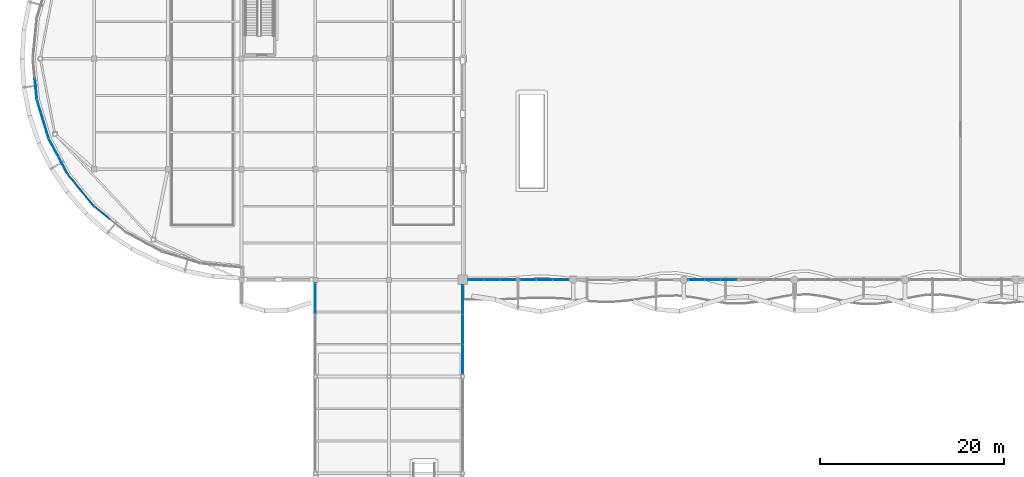
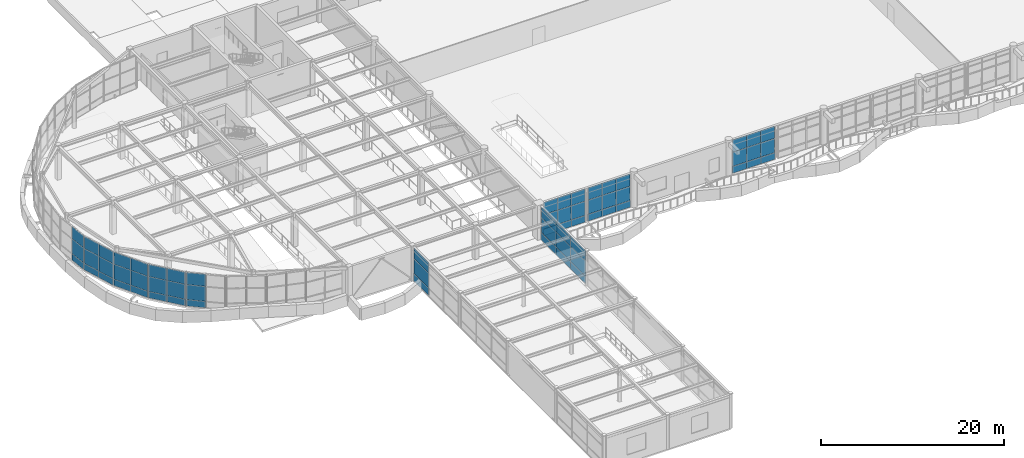
# One storey, part 36 of 72: 63 plates, 10 elements without a shape of their own.
"""IFC4 building model written with IfcOpenShell, lengths in metres."""

from ifc_helpers import new_model, si_unit, direction, frame, origin, origin_2d, place, context, subcontext, project, spatial, rectangle, extrude, material, layer, layer_set, type_object, element, aggregate, save


model = new_model("IFC4")

# Units and contexts
model_context = context("Model", 3, precision=1e-05, world=origin(), true_north=direction((0.0, 1.0)))
body_context = subcontext(model_context, "Body", "Model", "MODEL_VIEW")
ifc_project = project(units=[si_unit("LENGTHUNIT", "METRE"), si_unit("AREAUNIT", "SQUARE_METRE"), si_unit("VOLUMEUNIT", "CUBIC_METRE"), si_unit("PLANEANGLEUNIT", "RADIAN"), si_unit("MASSUNIT", "GRAM", prefix="KILO")], contexts=[model_context])

# Site, building, storey
site_placement = place(None, origin())
site = spatial("IfcSite", under=ifc_project, at=site_placement, CompositionType="ELEMENT")
building_placement = place(site_placement, origin())
building = spatial("IfcBuilding", under=site, at=building_placement, Name="Keelwater Ferry Terminal", CompositionType="ELEMENT")
storey_placement = place(building_placement, frame((0.0, 0.0, 5.39990234375)))
storey = spatial("IfcBuildingStorey", under=building, at=storey_placement, Name="L01", CompositionType="ELEMENT", Elevation=5.39990234375)

# Curtain wall, plate
ifc_material_1 = material(Name="Thermally broken unitised aluminium and triple glass", Category="aluminium")
ifc_layer_1 = layer(ifc_material_1, 0.179931640625)
ifc_layer_set_1 = layer_set([ifc_layer_1], Name="Thermally broken unitised aluminium and triple glass")
curtain_wall_type_1 = type_object("IfcCurtainWallType", Name="CW-11 Unitised Curtain Wall 9872x4400", PredefinedType="USERDEFINED", material=ifc_layer_set_1)
curtain_wall_1_placement = place(storey_placement, origin())
curtain_wall_1 = element("IfcCurtainWall", 1, at=curtain_wall_1_placement, inside=storey, type_object=curtain_wall_type_1, Name="Unitised Curtain Wall CW-L01-052", ObjectType="UNITISED CURTAIN WALL", PredefinedType="USERDEFINED")
ifc_material_2 = material(Name="Insulated aluminium spandrel", Category="aluminium")
ifc_layer_2 = layer(ifc_material_2, 0.080078125)
ifc_layer_set_2 = layer_set([ifc_layer_2], Name="Insulated aluminium spandrel")
plate_type_1 = type_object("IfcPlateType", Name="CWP-S1 Insulated Spandrel Panel 80", PredefinedType="CURTAIN_PANEL", material=ifc_layer_set_2)
plate_1_placement = place(storey_placement, frame((32.0, 40.004638671875, 0.0), z_axis=(0.0, 0.0, 1.0), x_axis=(0.0, 1.0, 0.0)))
plate_1 = element("IfcPlate", 2, at=plate_1_placement, type_object=plate_type_1, Name="CW-L01-052 Panel 3.1", PredefinedType="CURTAIN_PANEL", context=body_context, shape_type="SweptSolid", body=[
    extrude(rectangle(XDim=3.290771484375, YDim=0.080078125, at=origin_2d()), origin(), (0.0, 0.0, 1.0), 1.0),
])

# Curtain wall, plates
ifc_material_3 = material(Name="Thermally broken unitised aluminium and triple glass", Category="aluminium")
ifc_layer_3 = layer(ifc_material_3, 0.179931640625)
ifc_layer_set_3 = layer_set([ifc_layer_3], Name="Thermally broken unitised aluminium and triple glass")
curtain_wall_type_2 = type_object("IfcCurtainWallType", Name="CW-13 Unitised Curtain Wall 9647x4400", PredefinedType="USERDEFINED", material=ifc_layer_set_3)
curtain_wall_2_placement = place(storey_placement, origin())
curtain_wall_2 = element("IfcCurtainWall", 3, at=curtain_wall_2_placement, inside=storey, type_object=curtain_wall_type_2, Name="Unitised Curtain Wall CW-L01-058", ObjectType="UNITISED CURTAIN WALL", PredefinedType="USERDEFINED")
plate_2_placement = place(storey_placement, frame((48.0, 33.3857421875, 0.0), z_axis=(0.0, 0.0, 1.0), x_axis=(0.0, 1.0, 0.0)))
plate_2 = element("IfcPlate", 4, at=plate_2_placement, type_object=plate_type_1, Name="CW-L01-058 Panel 1.1", PredefinedType="CURTAIN_PANEL", context=body_context, shape_type="SweptSolid", body=[
    extrude(rectangle(XDim=3.215576171875, YDim=0.080078125, at=origin_2d()), origin(), (0.0, 0.0, 1.0), 1.0),
])
plate_3_placement = place(storey_placement, frame((48.0, 36.6015625, 0.0), z_axis=(0.0, 0.0, 1.0), x_axis=(0.0, 1.0, 0.0)))
plate_3 = element("IfcPlate", 5, at=plate_3_placement, type_object=plate_type_1, Name="CW-L01-058 Panel 2.1", PredefinedType="CURTAIN_PANEL", context=body_context, shape_type="SweptSolid", body=[
    extrude(rectangle(XDim=3.215576171875, YDim=0.080078125, at=origin_2d()), origin(), (0.0, 0.0, 1.0), 1.0),
])
plate_4_placement = place(storey_placement, frame((48.0, 39.817138671875, 0.0), z_axis=(0.0, 0.0, 1.0), x_axis=(0.0, 1.0, 0.0)))
plate_4 = element("IfcPlate", 6, at=plate_4_placement, type_object=plate_type_1, Name="CW-L01-058 Panel 3.1", PredefinedType="CURTAIN_PANEL", context=body_context, shape_type="SweptSolid", body=[
    extrude(rectangle(XDim=3.215576171875, YDim=0.080078125, at=origin_2d()), origin(), (0.0, 0.0, 1.0), 1.0),
])

ifc_material_4 = material(Name="Thermally broken unitised aluminium and triple glass", Category="aluminium")
ifc_layer_4 = layer(ifc_material_4, 0.179931640625)
ifc_layer_set_4 = layer_set([ifc_layer_4], Name="Thermally broken unitised aluminium and triple glass")
curtain_wall_type_3 = type_object("IfcCurtainWallType", Name="CW-01 Unitised Curtain Wall 5230x4450", PredefinedType="USERDEFINED", material=ifc_layer_set_4)
curtain_wall_3_placement = place(storey_placement, origin())
curtain_wall_3 = element("IfcCurtainWall", 7, at=curtain_wall_3_placement, inside=storey, type_object=curtain_wall_type_3, Name="Unitised Curtain Wall CW-L01-001", ObjectType="UNITISED CURTAIN WALL", PredefinedType="USERDEFINED")
ifc_material_5 = material(Name="Insulated white cassette spandrel", Category="aluminium")
ifc_layer_5 = layer(ifc_material_5, 0.094970703125)
ifc_layer_set_5 = layer_set([ifc_layer_5], Name="Insulated white cassette spandrel")
plate_type_2 = type_object("IfcPlateType", Name="CWP-S2 Insulated Spandrel Panel 95", PredefinedType="CURTAIN_PANEL", material=ifc_layer_set_5)
plate_5_placement = place(storey_placement, frame((49.44677734375, 42.0, 0.000244140625), z_axis=(0.0, 0.0, 1.0), x_axis=(1.0, 0.0, 0.0)))
plate_5 = element("IfcPlate", 8, at=plate_5_placement, type_object=plate_type_2, Name="CW-L01-001 Panel 1.1", PredefinedType="CURTAIN_PANEL", context=body_context, shape_type="SweptSolid", body=[
    extrude(rectangle(XDim=1.743408203125, YDim=0.094970703125, at=origin_2d()), origin(), (0.0, 0.0, 1.0), 0.89990234375),
])
plate_6_placement = place(storey_placement, frame((51.18994140625, 42.0, 0.000244140625), z_axis=(0.0, 0.0, 1.0), x_axis=(1.0, 0.0, 0.0)))
plate_6 = element("IfcPlate", 9, at=plate_6_placement, type_object=plate_type_2, Name="CW-L01-001 Panel 2.1", PredefinedType="CURTAIN_PANEL", context=body_context, shape_type="SweptSolid", body=[
    extrude(rectangle(XDim=1.743408203125, YDim=0.094970703125, at=origin_2d()), origin(), (0.0, 0.0, 1.0), 0.89990234375),
])
plate_7_placement = place(storey_placement, frame((52.933349609375, 42.0, 0.000244140625), z_axis=(0.0, 0.0, 1.0), x_axis=(1.0, 0.0, 0.0)))
plate_7 = element("IfcPlate", 10, at=plate_7_placement, type_object=plate_type_2, Name="CW-L01-001 Panel 3.1", PredefinedType="CURTAIN_PANEL", context=body_context, shape_type="SweptSolid", body=[
    extrude(rectangle(XDim=1.743408203125, YDim=0.094970703125, at=origin_2d()), origin(), (0.0, 0.0, 1.0), 0.89990234375),
])

ifc_material_6 = material(Name="Thermally broken unitised aluminium and triple glass", Category="aluminium")
ifc_layer_6 = layer(ifc_material_6, 0.179931640625)
ifc_layer_set_6 = layer_set([ifc_layer_6], Name="Thermally broken unitised aluminium and triple glass")
curtain_wall_type_4 = type_object("IfcCurtainWallType", Name="CW-02 Unitised Curtain Wall 5330x4450", PredefinedType="USERDEFINED", material=ifc_layer_set_6)
curtain_wall_4_placement = place(storey_placement, origin())
curtain_wall_4 = element("IfcCurtainWall", 11, at=curtain_wall_4_placement, inside=storey, type_object=curtain_wall_type_4, Name="Unitised Curtain Wall CW-L01-002", ObjectType="UNITISED CURTAIN WALL", PredefinedType="USERDEFINED")
plate_8_placement = place(storey_placement, frame((55.083251953125, 42.0, 0.000244140625), z_axis=(0.0, 0.0, 1.0), x_axis=(1.0, 0.0, 0.0)))
plate_8 = element("IfcPlate", 12, at=plate_8_placement, type_object=plate_type_2, Name="CW-L01-002 Panel 1.1", PredefinedType="CURTAIN_PANEL", context=body_context, shape_type="SweptSolid", body=[
    extrude(rectangle(XDim=1.776611328125, YDim=0.094970703125, at=origin_2d()), origin(), (0.0, 0.0, 1.0), 0.89990234375),
])
plate_9_placement = place(storey_placement, frame((56.860107421875, 42.0, 0.000244140625), z_axis=(0.0, 0.0, 1.0), x_axis=(1.0, 0.0, 0.0)))
plate_9 = element("IfcPlate", 13, at=plate_9_placement, type_object=plate_type_2, Name="CW-L01-002 Panel 2.1", PredefinedType="CURTAIN_PANEL", context=body_context, shape_type="SweptSolid", body=[
    extrude(rectangle(XDim=1.776611328125, YDim=0.094970703125, at=origin_2d()), origin(), (0.0, 0.0, 1.0), 0.89990234375),
])
plate_10_placement = place(storey_placement, frame((58.63671875, 42.0, 0.000244140625), z_axis=(0.0, 0.0, 1.0), x_axis=(1.0, 0.0, 0.0)))
plate_10 = element("IfcPlate", 14, at=plate_10_placement, type_object=plate_type_2, Name="CW-L01-002 Panel 3.1", PredefinedType="CURTAIN_PANEL", context=body_context, shape_type="SweptSolid", body=[
    extrude(rectangle(XDim=1.776611328125, YDim=0.094970703125, at=origin_2d()), origin(), (0.0, 0.0, 1.0), 0.89990234375),
])

curtain_wall_5_placement = place(storey_placement, origin())
curtain_wall_5 = element("IfcCurtainWall", 15, at=curtain_wall_5_placement, inside=storey, type_object=curtain_wall_type_4, Name="Unitised Curtain Wall CW-L01-003", ObjectType="UNITISED CURTAIN WALL", PredefinedType="USERDEFINED")
plate_11_placement = place(storey_placement, frame((73.36328125, 42.0, 0.000244140625), z_axis=(0.0, 0.0, 1.0), x_axis=(1.0, 0.0, 0.0)))
plate_11 = element("IfcPlate", 16, at=plate_11_placement, type_object=plate_type_2, Name="CW-L01-003 Panel 1.1", PredefinedType="CURTAIN_PANEL", context=body_context, shape_type="SweptSolid", body=[
    extrude(rectangle(XDim=1.776611328125, YDim=0.094970703125, at=origin_2d()), origin(), (0.0, 0.0, 1.0), 0.89990234375),
])
plate_12_placement = place(storey_placement, frame((75.139892578125, 42.0, 0.000244140625), z_axis=(0.0, 0.0, 1.0), x_axis=(1.0, 0.0, 0.0)))
plate_12 = element("IfcPlate", 17, at=plate_12_placement, type_object=plate_type_2, Name="CW-L01-003 Panel 2.1", PredefinedType="CURTAIN_PANEL", context=body_context, shape_type="SweptSolid", body=[
    extrude(rectangle(XDim=1.776611328125, YDim=0.094970703125, at=origin_2d()), origin(), (0.0, 0.0, 1.0), 0.89990234375),
])
plate_13_placement = place(storey_placement, frame((76.916748046875, 42.0, 0.000244140625), z_axis=(0.0, 0.0, 1.0), x_axis=(1.0, 0.0, 0.0)))
plate_13 = element("IfcPlate", 18, at=plate_13_placement, type_object=plate_type_2, Name="CW-L01-003 Panel 3.1", PredefinedType="CURTAIN_PANEL", context=body_context, shape_type="SweptSolid", body=[
    extrude(rectangle(XDim=1.776611328125, YDim=0.094970703125, at=origin_2d()), origin(), (0.0, 0.0, 1.0), 0.89990234375),
])

# Curtain wall, plate
ifc_material_7 = material(Name="Thermally broken unitised aluminium and triple glass", Category="aluminium")
ifc_layer_7 = layer(ifc_material_7, 0.179931640625)
ifc_layer_set_7 = layer_set([ifc_layer_7], Name="Thermally broken unitised aluminium and triple glass")
curtain_wall_type_5 = type_object("IfcCurtainWallType", Name="CW-18 Unitised Curtain Wall 4350x4480", PredefinedType="USERDEFINED", material=ifc_layer_set_7)
curtain_wall_6_placement = place(storey_placement, origin())
curtain_wall_6 = element("IfcCurtainWall", 19, at=curtain_wall_6_placement, inside=storey, type_object=curtain_wall_type_5, Name="Unitised Curtain Wall CW-L01-117", ObjectType="UNITISED CURTAIN WALL", PredefinedType="USERDEFINED")
plate_14_placement = place(storey_placement, frame((1.67431640625, 62.708251953125, 0.0), z_axis=(0.0, 0.0, 1.0), x_axis=(0.098160737969, -0.995170573079, 0.0)))
plate_14 = element("IfcPlate", 20, at=plate_14_placement, type_object=plate_type_2, Name="CW-L01-117 Panel 2.1", PredefinedType="CURTAIN_PANEL", context=body_context, shape_type="SweptSolid", body=[
    extrude(rectangle(XDim=2.175048828125, YDim=0.094970703125, at=origin_2d()), origin(), (0.0, 0.0, 1.0), 0.85009765625),
])

# Curtain wall, plates
curtain_wall_7_placement = place(storey_placement, origin())
curtain_wall_7 = element("IfcCurtainWall", 21, at=curtain_wall_7_placement, inside=storey, type_object=curtain_wall_type_5, Name="Unitised Curtain Wall CW-L01-118", ObjectType="UNITISED CURTAIN WALL", PredefinedType="USERDEFINED")
plate_15_placement = place(storey_placement, frame((2.11376953125, 60.497314453125, 0.0), z_axis=(0.0, 0.0, 1.0), x_axis=(0.290319989003, -0.956929623319, 0.0)))
plate_15 = element("IfcPlate", 22, at=plate_15_placement, type_object=plate_type_2, Name="CW-L01-118 Panel 1.1", PredefinedType="CURTAIN_PANEL", context=body_context, shape_type="SweptSolid", body=[
    extrude(rectangle(XDim=2.17529296875, YDim=0.094970703125, at=origin_2d()), origin(), (0.0, 0.0, 1.0), 0.85009765625),
])
plate_16_placement = place(storey_placement, frame((2.745361328125, 58.415771484375, 0.0), z_axis=(0.0, 0.0, 1.0), x_axis=(0.290319989003, -0.956929623319, 0.0)))
plate_16 = element("IfcPlate", 23, at=plate_16_placement, type_object=plate_type_2, Name="CW-L01-118 Panel 2.1", PredefinedType="CURTAIN_PANEL", context=body_context, shape_type="SweptSolid", body=[
    extrude(rectangle(XDim=2.17529296875, YDim=0.094970703125, at=origin_2d()), origin(), (0.0, 0.0, 1.0), 0.85009765625),
])

curtain_wall_8_placement = place(storey_placement, origin())
curtain_wall_8 = element("IfcCurtainWall", 24, at=curtain_wall_8_placement, inside=storey, type_object=curtain_wall_type_5, Name="Unitised Curtain Wall CW-L01-119", ObjectType="UNITISED CURTAIN WALL", PredefinedType="USERDEFINED")
plate_17_placement = place(storey_placement, frame((3.607666015625, 56.3330078125, 0.0), z_axis=(0.0, 0.0, 1.0), x_axis=(0.471506749303, -0.881862452632, 0.0)))
plate_17 = element("IfcPlate", 25, at=plate_17_placement, type_object=plate_type_2, Name="CW-L01-119 Panel 1.1", PredefinedType="CURTAIN_PANEL", context=body_context, shape_type="SweptSolid", body=[
    extrude(rectangle(XDim=2.175048828125, YDim=0.094970703125, at=origin_2d()), origin(), (0.0, 0.0, 1.0), 0.85009765625),
])
plate_18_placement = place(storey_placement, frame((4.63330078125, 54.4150390625, 0.0), z_axis=(0.0, 0.0, 1.0), x_axis=(0.471506749303, -0.881862452632, 0.0)))
plate_18 = element("IfcPlate", 26, at=plate_18_placement, type_object=plate_type_2, Name="CW-L01-119 Panel 2.1", PredefinedType="CURTAIN_PANEL", context=body_context, shape_type="SweptSolid", body=[
    extrude(rectangle(XDim=2.175048828125, YDim=0.094970703125, at=origin_2d()), origin(), (0.0, 0.0, 1.0), 0.85009765625),
])

curtain_wall_9_placement = place(storey_placement, origin())
curtain_wall_9 = element("IfcCurtainWall", 27, at=curtain_wall_9_placement, inside=storey, type_object=curtain_wall_type_5, Name="Unitised Curtain Wall CW-L01-120", ObjectType="UNITISED CURTAIN WALL", PredefinedType="USERDEFINED")
plate_19_placement = place(storey_placement, frame((5.8857421875, 52.54052734375, 0.0), z_axis=(0.0, 0.0, 1.0), x_axis=(0.634376508991, -0.773024220086, 0.0)))
plate_19 = element("IfcPlate", 28, at=plate_19_placement, type_object=plate_type_2, Name="CW-L01-120 Panel 1.1", PredefinedType="CURTAIN_PANEL", context=body_context, shape_type="SweptSolid", body=[
    extrude(rectangle(XDim=2.174560546875, YDim=0.094970703125, at=origin_2d()), origin(), (0.0, 0.0, 1.0), 0.85009765625),
])
plate_20_placement = place(storey_placement, frame((7.26513671875, 50.859619140625, 0.0), z_axis=(0.0, 0.0, 1.0), x_axis=(0.634376508991, -0.773024220086, 0.0)))
plate_20 = element("IfcPlate", 29, at=plate_20_placement, type_object=plate_type_2, Name="CW-L01-120 Panel 2.1", PredefinedType="CURTAIN_PANEL", context=body_context, shape_type="SweptSolid", body=[
    extrude(rectangle(XDim=2.174560546875, YDim=0.094970703125, at=origin_2d()), origin(), (0.0, 0.0, 1.0), 0.85009765625),
])

# Curtain wall, plate
curtain_wall_10_placement = place(storey_placement, origin())
curtain_wall_10 = element("IfcCurtainWall", 30, at=curtain_wall_10_placement, inside=storey, type_object=curtain_wall_type_5, Name="Unitised Curtain Wall CW-L01-121", ObjectType="UNITISED CURTAIN WALL", PredefinedType="USERDEFINED")
plate_21_placement = place(storey_placement, frame((8.859619140625, 49.26513671875, 0.0), z_axis=(0.0, 0.0, 1.0), x_axis=(0.773024220086, -0.634376508991, 0.0)))
plate_21 = element("IfcPlate", 31, at=plate_21_placement, type_object=plate_type_2, Name="CW-L01-121 Panel 1.1", PredefinedType="CURTAIN_PANEL", context=body_context, shape_type="SweptSolid", body=[
    extrude(rectangle(XDim=2.174560546875, YDim=0.094970703125, at=origin_2d()), origin(), (0.0, 0.0, 1.0), 0.85009765625),
])

# Plate
ifc_material_8 = material(Name="Triple low-E laminated glass", Category="glass")
ifc_layer_8 = layer(ifc_material_8, 0.035888671875)
ifc_layer_set_8 = layer_set([ifc_layer_8], Name="Triple low-E laminated glass")
plate_type_3 = type_object("IfcPlateType", Name="CWP-V1 Glazed Vision Panel 36", PredefinedType="CURTAIN_PANEL", material=ifc_layer_set_8)
plate_22_placement = place(storey_placement, frame((49.44677734375, 42.0, 0.900146484375), z_axis=(0.0, 0.0, 1.0), x_axis=(1.0, 0.0, 0.0)))
plate_22 = element("IfcPlate", 32, at=plate_22_placement, type_object=plate_type_3, Name="CW-L01-001 Panel 1.2", PredefinedType="CURTAIN_PANEL", context=body_context, shape_type="SweptSolid", body=[
    extrude(rectangle(XDim=1.743408203125, YDim=0.035888671875, at=origin_2d()), origin(), (0.0, 0.0, 1.0), 1.89990234375),
])

plate_23_placement = place(storey_placement, frame((49.44677734375, 42.0, 2.800048828125), z_axis=(0.0, 0.0, 1.0), x_axis=(1.0, 0.0, 0.0)))
plate_23 = element("IfcPlate", 33, at=plate_23_placement, type_object=plate_type_3, Name="CW-L01-001 Panel 1.3", PredefinedType="CURTAIN_PANEL", context=body_context, shape_type="SweptSolid", body=[
    extrude(rectangle(XDim=1.743408203125, YDim=0.035888671875, at=origin_2d()), origin(), (0.0, 0.0, 1.0), 1.64990234375),
])

plate_24_placement = place(storey_placement, frame((51.18994140625, 42.0, 0.900146484375), z_axis=(0.0, 0.0, 1.0), x_axis=(1.0, 0.0, 0.0)))
plate_24 = element("IfcPlate", 34, at=plate_24_placement, type_object=plate_type_3, Name="CW-L01-001 Panel 2.2", PredefinedType="CURTAIN_PANEL", context=body_context, shape_type="SweptSolid", body=[
    extrude(rectangle(XDim=1.743408203125, YDim=0.035888671875, at=origin_2d()), origin(), (0.0, 0.0, 1.0), 1.89990234375),
])

plate_25_placement = place(storey_placement, frame((51.18994140625, 42.0, 2.800048828125), z_axis=(0.0, 0.0, 1.0), x_axis=(1.0, 0.0, 0.0)))
plate_25 = element("IfcPlate", 35, at=plate_25_placement, type_object=plate_type_3, Name="CW-L01-001 Panel 2.3", PredefinedType="CURTAIN_PANEL", context=body_context, shape_type="SweptSolid", body=[
    extrude(rectangle(XDim=1.743408203125, YDim=0.035888671875, at=origin_2d()), origin(), (0.0, 0.0, 1.0), 1.64990234375),
])

plate_26_placement = place(storey_placement, frame((52.933349609375, 42.0, 0.900146484375), z_axis=(0.0, 0.0, 1.0), x_axis=(1.0, 0.0, 0.0)))
plate_26 = element("IfcPlate", 36, at=plate_26_placement, type_object=plate_type_3, Name="CW-L01-001 Panel 3.2", PredefinedType="CURTAIN_PANEL", context=body_context, shape_type="SweptSolid", body=[
    extrude(rectangle(XDim=1.743408203125, YDim=0.035888671875, at=origin_2d()), origin(), (0.0, 0.0, 1.0), 1.89990234375),
])

plate_27_placement = place(storey_placement, frame((52.933349609375, 42.0, 2.800048828125), z_axis=(0.0, 0.0, 1.0), x_axis=(1.0, 0.0, 0.0)))
plate_27 = element("IfcPlate", 37, at=plate_27_placement, type_object=plate_type_3, Name="CW-L01-001 Panel 3.3", PredefinedType="CURTAIN_PANEL", context=body_context, shape_type="SweptSolid", body=[
    extrude(rectangle(XDim=1.743408203125, YDim=0.035888671875, at=origin_2d()), origin(), (0.0, 0.0, 1.0), 1.64990234375),
])

aggregate(curtain_wall_3, [plate_5, plate_22, plate_23, plate_6, plate_24, plate_25, plate_7, plate_26, plate_27])

plate_28_placement = place(storey_placement, frame((55.083251953125, 42.0, 0.900146484375), z_axis=(0.0, 0.0, 1.0), x_axis=(1.0, 0.0, 0.0)))
plate_28 = element("IfcPlate", 38, at=plate_28_placement, type_object=plate_type_3, Name="CW-L01-002 Panel 1.2", PredefinedType="CURTAIN_PANEL", context=body_context, shape_type="SweptSolid", body=[
    extrude(rectangle(XDim=1.776611328125, YDim=0.035888671875, at=origin_2d()), origin(), (0.0, 0.0, 1.0), 1.89990234375),
])

plate_29_placement = place(storey_placement, frame((55.083251953125, 42.0, 2.800048828125), z_axis=(0.0, 0.0, 1.0), x_axis=(1.0, 0.0, 0.0)))
plate_29 = element("IfcPlate", 39, at=plate_29_placement, type_object=plate_type_3, Name="CW-L01-002 Panel 1.3", PredefinedType="CURTAIN_PANEL", context=body_context, shape_type="SweptSolid", body=[
    extrude(rectangle(XDim=1.776611328125, YDim=0.035888671875, at=origin_2d()), origin(), (0.0, 0.0, 1.0), 1.64990234375),
])

plate_30_placement = place(storey_placement, frame((56.860107421875, 42.0, 0.900146484375), z_axis=(0.0, 0.0, 1.0), x_axis=(1.0, 0.0, 0.0)))
plate_30 = element("IfcPlate", 40, at=plate_30_placement, type_object=plate_type_3, Name="CW-L01-002 Panel 2.2", PredefinedType="CURTAIN_PANEL", context=body_context, shape_type="SweptSolid", body=[
    extrude(rectangle(XDim=1.776611328125, YDim=0.035888671875, at=origin_2d()), origin(), (0.0, 0.0, 1.0), 1.89990234375),
])

plate_31_placement = place(storey_placement, frame((56.860107421875, 42.0, 2.800048828125), z_axis=(0.0, 0.0, 1.0), x_axis=(1.0, 0.0, 0.0)))
plate_31 = element("IfcPlate", 41, at=plate_31_placement, type_object=plate_type_3, Name="CW-L01-002 Panel 2.3", PredefinedType="CURTAIN_PANEL", context=body_context, shape_type="SweptSolid", body=[
    extrude(rectangle(XDim=1.776611328125, YDim=0.035888671875, at=origin_2d()), origin(), (0.0, 0.0, 1.0), 1.64990234375),
])

plate_32_placement = place(storey_placement, frame((58.63671875, 42.0, 0.900146484375), z_axis=(0.0, 0.0, 1.0), x_axis=(1.0, 0.0, 0.0)))
plate_32 = element("IfcPlate", 42, at=plate_32_placement, type_object=plate_type_3, Name="CW-L01-002 Panel 3.2", PredefinedType="CURTAIN_PANEL", context=body_context, shape_type="SweptSolid", body=[
    extrude(rectangle(XDim=1.776611328125, YDim=0.035888671875, at=origin_2d()), origin(), (0.0, 0.0, 1.0), 1.89990234375),
])

plate_33_placement = place(storey_placement, frame((58.63671875, 42.0, 2.800048828125), z_axis=(0.0, 0.0, 1.0), x_axis=(1.0, 0.0, 0.0)))
plate_33 = element("IfcPlate", 43, at=plate_33_placement, type_object=plate_type_3, Name="CW-L01-002 Panel 3.3", PredefinedType="CURTAIN_PANEL", context=body_context, shape_type="SweptSolid", body=[
    extrude(rectangle(XDim=1.776611328125, YDim=0.035888671875, at=origin_2d()), origin(), (0.0, 0.0, 1.0), 1.64990234375),
])

aggregate(curtain_wall_4, [plate_8, plate_28, plate_29, plate_9, plate_30, plate_31, plate_10, plate_32, plate_33])

plate_34_placement = place(storey_placement, frame((73.36328125, 42.0, 0.900146484375), z_axis=(0.0, 0.0, 1.0), x_axis=(1.0, 0.0, 0.0)))
plate_34 = element("IfcPlate", 44, at=plate_34_placement, type_object=plate_type_3, Name="CW-L01-003 Panel 1.2", PredefinedType="CURTAIN_PANEL", context=body_context, shape_type="SweptSolid", body=[
    extrude(rectangle(XDim=1.776611328125, YDim=0.035888671875, at=origin_2d()), origin(), (0.0, 0.0, 1.0), 1.89990234375),
])

plate_35_placement = place(storey_placement, frame((73.36328125, 42.0, 2.800048828125), z_axis=(0.0, 0.0, 1.0), x_axis=(1.0, 0.0, 0.0)))
plate_35 = element("IfcPlate", 45, at=plate_35_placement, type_object=plate_type_3, Name="CW-L01-003 Panel 1.3", PredefinedType="CURTAIN_PANEL", context=body_context, shape_type="SweptSolid", body=[
    extrude(rectangle(XDim=1.776611328125, YDim=0.035888671875, at=origin_2d()), origin(), (0.0, 0.0, 1.0), 1.64990234375),
])

plate_36_placement = place(storey_placement, frame((75.139892578125, 42.0, 0.900146484375), z_axis=(0.0, 0.0, 1.0), x_axis=(1.0, 0.0, 0.0)))
plate_36 = element("IfcPlate", 46, at=plate_36_placement, type_object=plate_type_3, Name="CW-L01-003 Panel 2.2", PredefinedType="CURTAIN_PANEL", context=body_context, shape_type="SweptSolid", body=[
    extrude(rectangle(XDim=1.776611328125, YDim=0.035888671875, at=origin_2d()), origin(), (0.0, 0.0, 1.0), 1.89990234375),
])

plate_37_placement = place(storey_placement, frame((75.139892578125, 42.0, 2.800048828125), z_axis=(0.0, 0.0, 1.0), x_axis=(1.0, 0.0, 0.0)))
plate_37 = element("IfcPlate", 47, at=plate_37_placement, type_object=plate_type_3, Name="CW-L01-003 Panel 2.3", PredefinedType="CURTAIN_PANEL", context=body_context, shape_type="SweptSolid", body=[
    extrude(rectangle(XDim=1.776611328125, YDim=0.035888671875, at=origin_2d()), origin(), (0.0, 0.0, 1.0), 1.64990234375),
])

plate_38_placement = place(storey_placement, frame((76.916748046875, 42.0, 0.900146484375), z_axis=(0.0, 0.0, 1.0), x_axis=(1.0, 0.0, 0.0)))
plate_38 = element("IfcPlate", 48, at=plate_38_placement, type_object=plate_type_3, Name="CW-L01-003 Panel 3.2", PredefinedType="CURTAIN_PANEL", context=body_context, shape_type="SweptSolid", body=[
    extrude(rectangle(XDim=1.776611328125, YDim=0.035888671875, at=origin_2d()), origin(), (0.0, 0.0, 1.0), 1.89990234375),
])

plate_39_placement = place(storey_placement, frame((76.916748046875, 42.0, 2.800048828125), z_axis=(0.0, 0.0, 1.0), x_axis=(1.0, 0.0, 0.0)))
plate_39 = element("IfcPlate", 49, at=plate_39_placement, type_object=plate_type_3, Name="CW-L01-003 Panel 3.3", PredefinedType="CURTAIN_PANEL", context=body_context, shape_type="SweptSolid", body=[
    extrude(rectangle(XDim=1.776611328125, YDim=0.035888671875, at=origin_2d()), origin(), (0.0, 0.0, 1.0), 1.64990234375),
])

aggregate(curtain_wall_5, [plate_11, plate_34, plate_35, plate_12, plate_36, plate_37, plate_13, plate_38, plate_39])

plate_40_placement = place(storey_placement, frame((1.67431640625, 62.708251953125, 0.85009765625), z_axis=(0.0, 0.0, 1.0), x_axis=(0.098160737969, -0.995170573079, 0.0)))
plate_40 = element("IfcPlate", 50, at=plate_40_placement, type_object=plate_type_3, Name="CW-L01-117 Panel 2.2", PredefinedType="CURTAIN_PANEL", context=body_context, shape_type="SweptSolid", body=[
    extrude(rectangle(XDim=2.175048828125, YDim=0.035888671875, at=origin_2d()), origin(), (0.0, 0.0, 1.0), 2.0),
])

plate_41_placement = place(storey_placement, frame((1.67431640625, 62.708251953125, 2.85009765625), z_axis=(0.0, 0.0, 1.0), x_axis=(0.098160737969, -0.995170573079, 0.0)))
plate_41 = element("IfcPlate", 51, at=plate_41_placement, type_object=plate_type_3, Name="CW-L01-117 Panel 2.3", PredefinedType="CURTAIN_PANEL", context=body_context, shape_type="SweptSolid", body=[
    extrude(rectangle(XDim=2.175048828125, YDim=0.035888671875, at=origin_2d()), origin(), (0.0, 0.0, 1.0), 1.6298828125),
])

aggregate(curtain_wall_6, [plate_14, plate_40, plate_41])

plate_42_placement = place(storey_placement, frame((2.11376953125, 60.497314453125, 0.85009765625), z_axis=(0.0, 0.0, 1.0), x_axis=(0.290319989003, -0.956929623319, 0.0)))
plate_42 = element("IfcPlate", 52, at=plate_42_placement, type_object=plate_type_3, Name="CW-L01-118 Panel 1.2", PredefinedType="CURTAIN_PANEL", context=body_context, shape_type="SweptSolid", body=[
    extrude(rectangle(XDim=2.17529296875, YDim=0.035888671875, at=origin_2d()), origin(), (0.0, 0.0, 1.0), 2.0),
])

plate_43_placement = place(storey_placement, frame((2.11376953125, 60.497314453125, 2.85009765625), z_axis=(0.0, 0.0, 1.0), x_axis=(0.290319989003, -0.956929623319, 0.0)))
plate_43 = element("IfcPlate", 53, at=plate_43_placement, type_object=plate_type_3, Name="CW-L01-118 Panel 1.3", PredefinedType="CURTAIN_PANEL", context=body_context, shape_type="SweptSolid", body=[
    extrude(rectangle(XDim=2.17529296875, YDim=0.035888671875, at=origin_2d()), origin(), (0.0, 0.0, 1.0), 1.6298828125),
])

plate_44_placement = place(storey_placement, frame((2.745361328125, 58.415771484375, 0.85009765625), z_axis=(0.0, 0.0, 1.0), x_axis=(0.290319989003, -0.956929623319, 0.0)))
plate_44 = element("IfcPlate", 54, at=plate_44_placement, type_object=plate_type_3, Name="CW-L01-118 Panel 2.2", PredefinedType="CURTAIN_PANEL", context=body_context, shape_type="SweptSolid", body=[
    extrude(rectangle(XDim=2.17529296875, YDim=0.035888671875, at=origin_2d()), origin(), (0.0, 0.0, 1.0), 2.0),
])

plate_45_placement = place(storey_placement, frame((2.745361328125, 58.415771484375, 2.85009765625), z_axis=(0.0, 0.0, 1.0), x_axis=(0.290319989003, -0.956929623319, 0.0)))
plate_45 = element("IfcPlate", 55, at=plate_45_placement, type_object=plate_type_3, Name="CW-L01-118 Panel 2.3", PredefinedType="CURTAIN_PANEL", context=body_context, shape_type="SweptSolid", body=[
    extrude(rectangle(XDim=2.17529296875, YDim=0.035888671875, at=origin_2d()), origin(), (0.0, 0.0, 1.0), 1.6298828125),
])

aggregate(curtain_wall_7, [plate_15, plate_42, plate_43, plate_16, plate_44, plate_45])

plate_46_placement = place(storey_placement, frame((3.607666015625, 56.3330078125, 0.85009765625), z_axis=(0.0, 0.0, 1.0), x_axis=(0.471506749303, -0.881862452632, 0.0)))
plate_46 = element("IfcPlate", 56, at=plate_46_placement, type_object=plate_type_3, Name="CW-L01-119 Panel 1.2", PredefinedType="CURTAIN_PANEL", context=body_context, shape_type="SweptSolid", body=[
    extrude(rectangle(XDim=2.175048828125, YDim=0.035888671875, at=origin_2d()), origin(), (0.0, 0.0, 1.0), 2.0),
])

plate_47_placement = place(storey_placement, frame((3.607666015625, 56.3330078125, 2.85009765625), z_axis=(0.0, 0.0, 1.0), x_axis=(0.471506749303, -0.881862452632, 0.0)))
plate_47 = element("IfcPlate", 57, at=plate_47_placement, type_object=plate_type_3, Name="CW-L01-119 Panel 1.3", PredefinedType="CURTAIN_PANEL", context=body_context, shape_type="SweptSolid", body=[
    extrude(rectangle(XDim=2.175048828125, YDim=0.035888671875, at=origin_2d()), origin(), (0.0, 0.0, 1.0), 1.6298828125),
])

plate_48_placement = place(storey_placement, frame((4.63330078125, 54.4150390625, 0.85009765625), z_axis=(0.0, 0.0, 1.0), x_axis=(0.471506749303, -0.881862452632, 0.0)))
plate_48 = element("IfcPlate", 58, at=plate_48_placement, type_object=plate_type_3, Name="CW-L01-119 Panel 2.2", PredefinedType="CURTAIN_PANEL", context=body_context, shape_type="SweptSolid", body=[
    extrude(rectangle(XDim=2.175048828125, YDim=0.035888671875, at=origin_2d()), origin(), (0.0, 0.0, 1.0), 2.0),
])

plate_49_placement = place(storey_placement, frame((4.63330078125, 54.4150390625, 2.85009765625), z_axis=(0.0, 0.0, 1.0), x_axis=(0.471506749303, -0.881862452632, 0.0)))
plate_49 = element("IfcPlate", 59, at=plate_49_placement, type_object=plate_type_3, Name="CW-L01-119 Panel 2.3", PredefinedType="CURTAIN_PANEL", context=body_context, shape_type="SweptSolid", body=[
    extrude(rectangle(XDim=2.175048828125, YDim=0.035888671875, at=origin_2d()), origin(), (0.0, 0.0, 1.0), 1.6298828125),
])

aggregate(curtain_wall_8, [plate_17, plate_46, plate_47, plate_18, plate_48, plate_49])

plate_50_placement = place(storey_placement, frame((5.8857421875, 52.54052734375, 0.85009765625), z_axis=(0.0, 0.0, 1.0), x_axis=(0.634376508991, -0.773024220086, 0.0)))
plate_50 = element("IfcPlate", 60, at=plate_50_placement, type_object=plate_type_3, Name="CW-L01-120 Panel 1.2", PredefinedType="CURTAIN_PANEL", context=body_context, shape_type="SweptSolid", body=[
    extrude(rectangle(XDim=2.174560546875, YDim=0.035888671875, at=origin_2d()), origin(), (0.0, 0.0, 1.0), 2.0),
])

plate_51_placement = place(storey_placement, frame((5.8857421875, 52.54052734375, 2.85009765625), z_axis=(0.0, 0.0, 1.0), x_axis=(0.634376508991, -0.773024220086, 0.0)))
plate_51 = element("IfcPlate", 61, at=plate_51_placement, type_object=plate_type_3, Name="CW-L01-120 Panel 1.3", PredefinedType="CURTAIN_PANEL", context=body_context, shape_type="SweptSolid", body=[
    extrude(rectangle(XDim=2.174560546875, YDim=0.035888671875, at=origin_2d()), origin(), (0.0, 0.0, 1.0), 1.6298828125),
])

plate_52_placement = place(storey_placement, frame((7.26513671875, 50.859619140625, 0.85009765625), z_axis=(0.0, 0.0, 1.0), x_axis=(0.634376508991, -0.773024220086, 0.0)))
plate_52 = element("IfcPlate", 62, at=plate_52_placement, type_object=plate_type_3, Name="CW-L01-120 Panel 2.2", PredefinedType="CURTAIN_PANEL", context=body_context, shape_type="SweptSolid", body=[
    extrude(rectangle(XDim=2.174560546875, YDim=0.035888671875, at=origin_2d()), origin(), (0.0, 0.0, 1.0), 2.0),
])

plate_53_placement = place(storey_placement, frame((7.26513671875, 50.859619140625, 2.85009765625), z_axis=(0.0, 0.0, 1.0), x_axis=(0.634376508991, -0.773024220086, 0.0)))
plate_53 = element("IfcPlate", 63, at=plate_53_placement, type_object=plate_type_3, Name="CW-L01-120 Panel 2.3", PredefinedType="CURTAIN_PANEL", context=body_context, shape_type="SweptSolid", body=[
    extrude(rectangle(XDim=2.174560546875, YDim=0.035888671875, at=origin_2d()), origin(), (0.0, 0.0, 1.0), 1.6298828125),
])

aggregate(curtain_wall_9, [plate_19, plate_50, plate_51, plate_20, plate_52, plate_53])

plate_54_placement = place(storey_placement, frame((8.859619140625, 49.26513671875, 0.85009765625), z_axis=(0.0, 0.0, 1.0), x_axis=(0.773024220086, -0.634376508991, 0.0)))
plate_54 = element("IfcPlate", 64, at=plate_54_placement, type_object=plate_type_3, Name="CW-L01-121 Panel 1.2", PredefinedType="CURTAIN_PANEL", context=body_context, shape_type="SweptSolid", body=[
    extrude(rectangle(XDim=2.174560546875, YDim=0.035888671875, at=origin_2d()), origin(), (0.0, 0.0, 1.0), 2.0),
])

plate_55_placement = place(storey_placement, frame((8.859619140625, 49.26513671875, 2.85009765625), z_axis=(0.0, 0.0, 1.0), x_axis=(0.773024220086, -0.634376508991, 0.0)))
plate_55 = element("IfcPlate", 65, at=plate_55_placement, type_object=plate_type_3, Name="CW-L01-121 Panel 1.3", PredefinedType="CURTAIN_PANEL", context=body_context, shape_type="SweptSolid", body=[
    extrude(rectangle(XDim=2.174560546875, YDim=0.035888671875, at=origin_2d()), origin(), (0.0, 0.0, 1.0), 1.6298828125),
])

aggregate(curtain_wall_10, [plate_21, plate_54, plate_55])

ifc_material_9 = material(Name="Acoustic marine triple glass", Category="glass")
ifc_layer_9 = layer(ifc_material_9, 0.048095703125)
ifc_layer_set_9 = layer_set([ifc_layer_9], Name="Acoustic marine triple glass")
plate_type_4 = type_object("IfcPlateType", Name="CWP-V3 Glazed Vision Panel 48", PredefinedType="CURTAIN_PANEL", material=ifc_layer_set_9)
plate_56_placement = place(storey_placement, frame((32.0, 40.004638671875, 1.0), z_axis=(0.0, 0.0, 1.0), x_axis=(0.0, 1.0, 0.0)))
plate_56 = element("IfcPlate", 66, at=plate_56_placement, type_object=plate_type_4, Name="CW-L01-052 Panel 3.2", PredefinedType="CURTAIN_PANEL", context=body_context, shape_type="SweptSolid", body=[
    extrude(rectangle(XDim=3.290771484375, YDim=0.048095703125, at=origin_2d()), origin(), (0.0, 0.0, 1.0), 2.0),
])

plate_57_placement = place(storey_placement, frame((32.0, 40.004638671875, 3.000244140625), z_axis=(0.0, 0.0, 1.0), x_axis=(0.0, 1.0, 0.0)))
plate_57 = element("IfcPlate", 67, at=plate_57_placement, type_object=plate_type_4, Name="CW-L01-052 Panel 3.3", PredefinedType="CURTAIN_PANEL", context=body_context, shape_type="SweptSolid", body=[
    extrude(rectangle(XDim=3.290771484375, YDim=0.048095703125, at=origin_2d()), origin(), (0.0, 0.0, 1.0), 1.39990234375),
])

aggregate(curtain_wall_1, [plate_1, plate_56, plate_57])

plate_58_placement = place(storey_placement, frame((48.0, 33.3857421875, 1.0), z_axis=(0.0, 0.0, 1.0), x_axis=(0.0, 1.0, 0.0)))
plate_58 = element("IfcPlate", 68, at=plate_58_placement, type_object=plate_type_4, Name="CW-L01-058 Panel 1.2", PredefinedType="CURTAIN_PANEL", context=body_context, shape_type="SweptSolid", body=[
    extrude(rectangle(XDim=3.215576171875, YDim=0.048095703125, at=origin_2d()), origin(), (0.0, 0.0, 1.0), 2.0),
])

plate_59_placement = place(storey_placement, frame((48.0, 33.3857421875, 3.000244140625), z_axis=(0.0, 0.0, 1.0), x_axis=(0.0, 1.0, 0.0)))
plate_59 = element("IfcPlate", 69, at=plate_59_placement, type_object=plate_type_4, Name="CW-L01-058 Panel 1.3", PredefinedType="CURTAIN_PANEL", context=body_context, shape_type="SweptSolid", body=[
    extrude(rectangle(XDim=3.215576171875, YDim=0.048095703125, at=origin_2d()), origin(), (0.0, 0.0, 1.0), 1.39990234375),
])

plate_60_placement = place(storey_placement, frame((48.0, 36.6015625, 1.0), z_axis=(0.0, 0.0, 1.0), x_axis=(0.0, 1.0, 0.0)))
plate_60 = element("IfcPlate", 70, at=plate_60_placement, type_object=plate_type_4, Name="CW-L01-058 Panel 2.2", PredefinedType="CURTAIN_PANEL", context=body_context, shape_type="SweptSolid", body=[
    extrude(rectangle(XDim=3.215576171875, YDim=0.048095703125, at=origin_2d()), origin(), (0.0, 0.0, 1.0), 2.0),
])

plate_61_placement = place(storey_placement, frame((48.0, 36.6015625, 3.000244140625), z_axis=(0.0, 0.0, 1.0), x_axis=(0.0, 1.0, 0.0)))
plate_61 = element("IfcPlate", 71, at=plate_61_placement, type_object=plate_type_4, Name="CW-L01-058 Panel 2.3", PredefinedType="CURTAIN_PANEL", context=body_context, shape_type="SweptSolid", body=[
    extrude(rectangle(XDim=3.215576171875, YDim=0.048095703125, at=origin_2d()), origin(), (0.0, 0.0, 1.0), 1.39990234375),
])

plate_62_placement = place(storey_placement, frame((48.0, 39.817138671875, 1.0), z_axis=(0.0, 0.0, 1.0), x_axis=(0.0, 1.0, 0.0)))
plate_62 = element("IfcPlate", 72, at=plate_62_placement, type_object=plate_type_4, Name="CW-L01-058 Panel 3.2", PredefinedType="CURTAIN_PANEL", context=body_context, shape_type="SweptSolid", body=[
    extrude(rectangle(XDim=3.215576171875, YDim=0.048095703125, at=origin_2d()), origin(), (0.0, 0.0, 1.0), 2.0),
])

plate_63_placement = place(storey_placement, frame((48.0, 39.817138671875, 3.000244140625), z_axis=(0.0, 0.0, 1.0), x_axis=(0.0, 1.0, 0.0)))
plate_63 = element("IfcPlate", 73, at=plate_63_placement, type_object=plate_type_4, Name="CW-L01-058 Panel 3.3", PredefinedType="CURTAIN_PANEL", context=body_context, shape_type="SweptSolid", body=[
    extrude(rectangle(XDim=3.215576171875, YDim=0.048095703125, at=origin_2d()), origin(), (0.0, 0.0, 1.0), 1.39990234375),
])

aggregate(curtain_wall_2, [plate_2, plate_58, plate_59, plate_3, plate_60, plate_61, plate_4, plate_62, plate_63])

save(model, "model.ifc")
